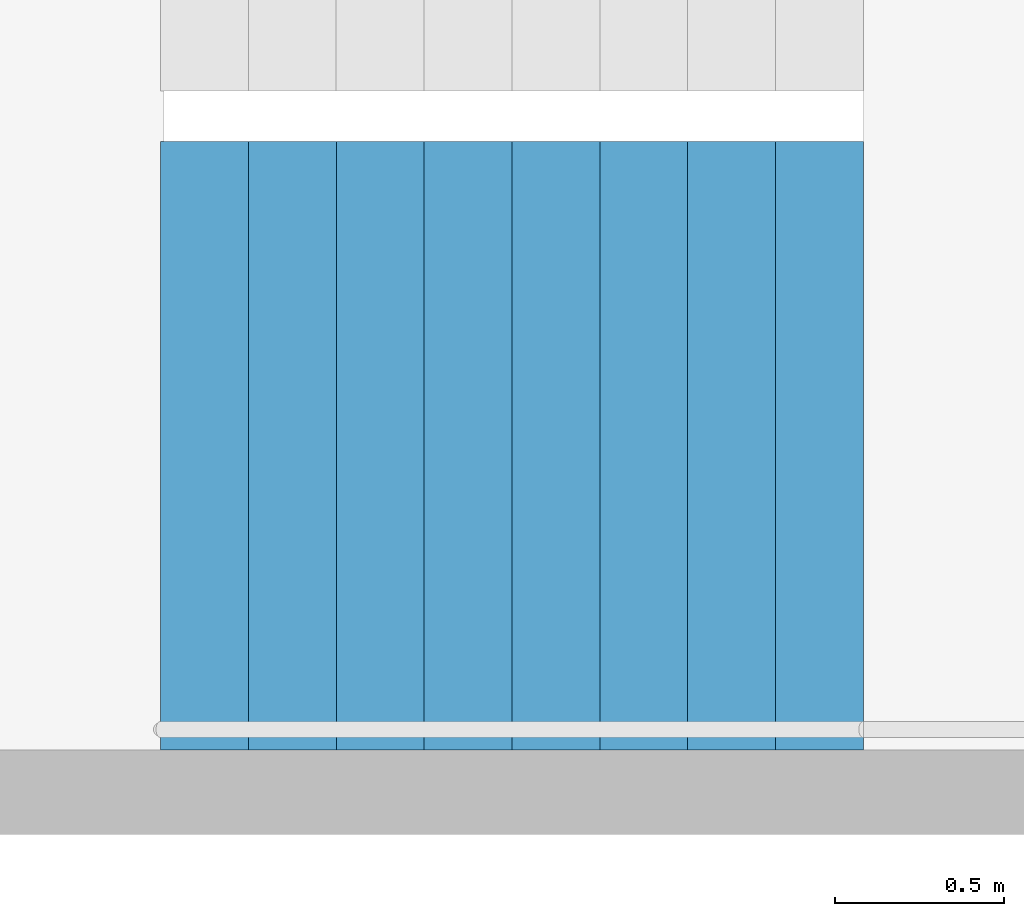
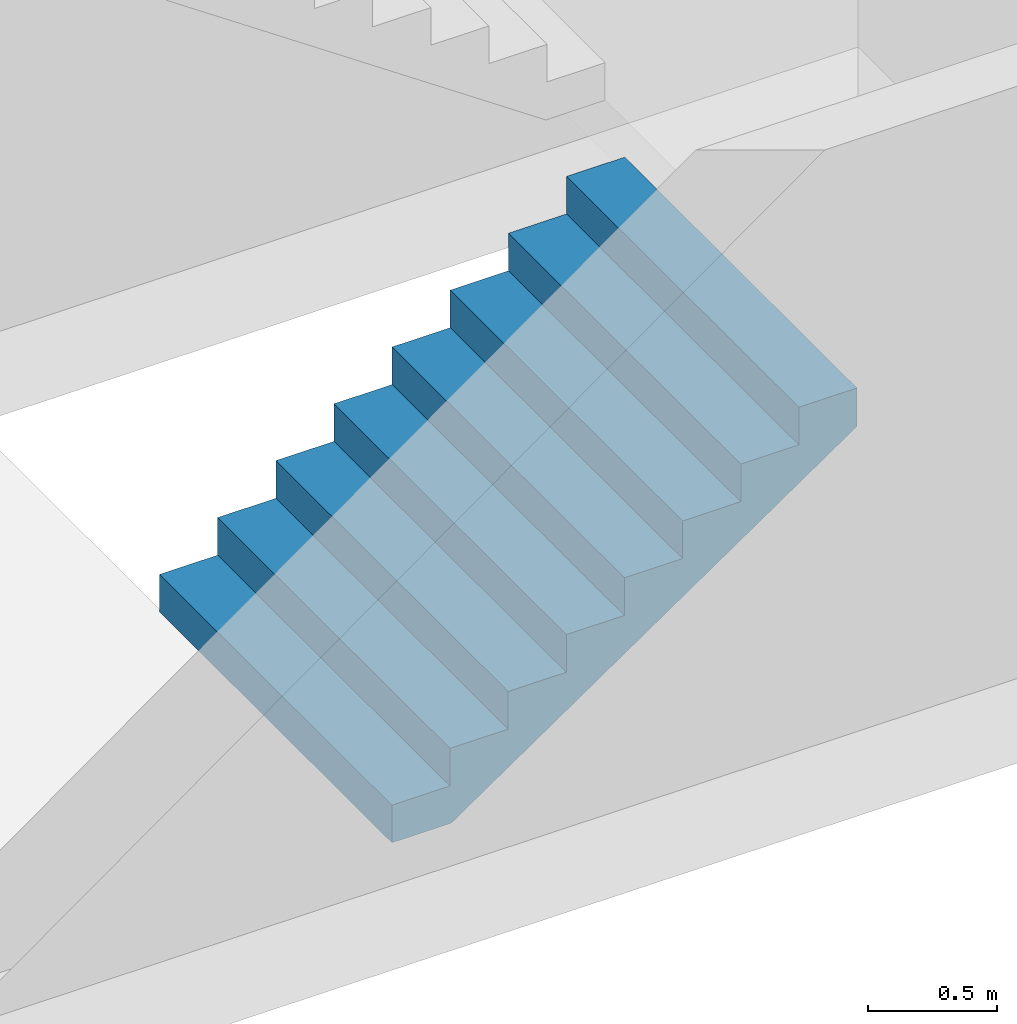
# One storey, part 23 of 29: 1 stair flight, 1 element without a shape of its own.
"""IFC4 building model written with IfcOpenShell, lengths in metres."""

import ifcopenshell
import ifcopenshell.guid

model = None  # the IFC model being written
_history = None  # IfcOwnerHistory: only IFC2X3 demands one
_inside = {}  # id of a spatial element -> (the spatial element, [elements in it])
_under = {}  # id of a project, library or spatial element -> (it, [spatial elements below it])
_declared = {}  # id of a project -> (the project, [libraries it declares])
_typed = {}  # id of a type object -> (the type object, [elements of that type])
_made_of = {}  # id of a material, layer set ... -> (it, [elements and type objects made of it])


def new_model(schema):
    """Start an empty IFC model of exactly this schema.

    Asked for "IFC4X3", IfcOpenShell would pick the latest addendum, in which some entities
    have other attributes; the version numbers below select the first issue.
    IFC2X3 requires an IfcOwnerHistory on every rooted entity: one is made here for all.
    """
    global model, _history
    if schema == "IFC4X3":
        model = ifcopenshell.file(schema_version=(4, 3, 0, 0))
    else:
        model = ifcopenshell.file(schema=schema)
    _inside.clear()
    _under.clear()
    _declared.clear()
    _typed.clear()
    _made_of.clear()
    _history = None
    if model.schema == "IFC2X3":
        org = make("IfcOrganization", Name="unknown")
        user = make(
            "IfcPersonAndOrganization",
            ThePerson=make("IfcPerson", FamilyName="unknown"),
            TheOrganization=org,
        )
        app = make(
            "IfcApplication",
            ApplicationDeveloper=org,
            Version="unknown",
            ApplicationFullName="unknown",
            ApplicationIdentifier="unknown",
        )
        _history = make(
            "IfcOwnerHistory",
            OwningUser=user,
            OwningApplication=app,
            ChangeAction="ADDED",
            CreationDate=0,
        )
    return model


def make(cls, **values):
    """One entity of the class cls with the attributes given. An attribute that is None is left unset."""
    return model.create_entity(
        cls, **{name: value for name, value in values.items() if value is not None}
    )


def rooted(cls, **values):
    """An entity with a GlobalId (a new one), such as an element, a storey or a relation."""
    return make(cls, GlobalId=ifcopenshell.guid.new(), OwnerHistory=_history, **values)


def si_unit(unit_type, name, prefix=None):
    """IfcSIUnit, for example si_unit("LENGTHUNIT", "METRE", prefix="MILLI")."""
    return make("IfcSIUnit", UnitType=unit_type, Prefix=prefix, Name=name)


def assignment(units):
    """IfcUnitAssignment: the units of a project."""
    return None if units is None else make("IfcUnitAssignment", Units=units)


def point(xyz):
    """IfcCartesianPoint."""
    return None if xyz is None else make("IfcCartesianPoint", Coordinates=xyz)


def direction(xyz):
    """IfcDirection."""
    return None if xyz is None else make("IfcDirection", DirectionRatios=xyz)


def frame(location, z_axis=None, x_axis=None):
    """IfcAxis2Placement3D, a coordinate frame: its origin and axes. An axis left out is left unset."""
    return make(
        "IfcAxis2Placement3D",
        Location=point(location),
        Axis=direction(z_axis),
        RefDirection=direction(x_axis),
    )


def origin():
    """The frame at (0, 0, 0) with its axes left unset."""
    return frame((0.0, 0.0, 0.0))


def place(relative_to, where):
    """IfcLocalPlacement: puts the frame where relative to a parent placement (None: the world)."""
    return make(
        "IfcLocalPlacement", PlacementRelTo=relative_to, RelativePlacement=where
    )


def context(
    kind, dimensions, precision=None, world=None, true_north=None, identifier=None
):
    """IfcGeometricRepresentationContext, for example the 3D "Model" context."""
    return make(
        "IfcGeometricRepresentationContext",
        ContextIdentifier=identifier,
        ContextType=kind,
        CoordinateSpaceDimension=dimensions,
        Precision=precision,
        WorldCoordinateSystem=world,
        TrueNorth=true_north,
    )


def subcontext(parent, identifier, kind, view, scale=None):
    """IfcGeometricRepresentationSubContext, for example "Body" below "Model"."""
    return make(
        "IfcGeometricRepresentationSubContext",
        ContextIdentifier=identifier,
        ContextType=kind,
        ParentContext=parent,
        TargetScale=scale,
        TargetView=view,
    )


def project(units=None, contexts=None):
    """IfcProject with its units and contexts."""
    return rooted(
        "IfcProject",
        Name="project",
        RepresentationContexts=contexts,
        UnitsInContext=assignment(units),
    )


def spatial(cls, under=None, at=None, **own):
    """A site, building, storey or space (cls), placed at a placement, below another one or the project."""
    s = rooted(cls, ObjectPlacement=at, **own)
    if under is not None:
        _under.setdefault(under.id(), (under, []))[1].append(s)
    return s


def point_list(points):
    """IfcCartesianPointList2D or 3D."""
    cls = (
        "IfcCartesianPointList2D" if len(points[0]) == 2 else "IfcCartesianPointList3D"
    )
    return make(cls, CoordList=points)


def triangles(points, corners, closed=None, point_numbers=None):
    """IfcTriangulatedFaceSet: each triangle names its three corners, points numbered from 1."""
    return make(
        "IfcTriangulatedFaceSet",
        Coordinates=point_list(points),
        Closed=closed,
        CoordIndex=corners,
        PnIndex=point_numbers,
    )


def shape(context_of_items, identifier, shape_type, items):
    """IfcShapeRepresentation: the items that make up one representation, for example the "Body"."""
    return make(
        "IfcShapeRepresentation",
        ContextOfItems=context_of_items,
        RepresentationIdentifier=identifier,
        RepresentationType=shape_type,
        Items=items,
    )


def material(Name=None, Category=None):
    """IfcMaterial."""
    return make("IfcMaterial", Name=Name, Category=Category)


def made_of(thing, what):
    """Note that an element or type object is made of a material, layer set ...; save() writes the relation."""
    if what is not None:
        _made_of.setdefault(what.id(), (what, []))[1].append(thing)
    return thing


def type_object(cls, material=None, **own):
    """A type object (cls), such as IfcWallType, which elements share."""
    return made_of(rooted(cls, **own), material)


def element(
    cls,
    number,
    at=None,
    inside=None,
    cuts=None,
    type_object=None,
    material=None,
    context=None,
    identifier="Body",
    shape_type=None,
    held_by="IfcProductDefinitionShape",
    body=None,
    shapes=None,
    **own,
):
    """One element of the class cls, such as IfcWall. Its Tag is "e" and its number.

    at: its placement. inside: the storey or other place that contains it. cuts: it is an
    opening in that element (IfcRelVoidsElement). A single representation is given by context,
    identifier, shape_type and body (its items); several are given by shapes. held_by: the class
    of the entity that holds the representations. save() writes the other relations.
    """
    e = rooted(cls, Tag="e%d" % number, ObjectPlacement=at, **own)
    if body is not None:
        shapes = [shape(context, identifier, shape_type, body)]
    if shapes is not None:
        e.Representation = make(held_by, Representations=shapes)
    if inside is not None:
        _inside.setdefault(inside.id(), (inside, []))[1].append(e)
    if cuts is not None:
        rooted(
            "IfcRelVoidsElement", RelatingBuildingElement=cuts, RelatedOpeningElement=e
        )
    if type_object is not None:
        _typed.setdefault(type_object.id(), (type_object, []))[1].append(e)
    return made_of(e, material)


def aggregate(whole, parts):
    """IfcRelAggregates: a whole, such as a stair, and the parts it consists of."""
    return rooted("IfcRelAggregates", RelatingObject=whole, RelatedObjects=parts)


def save(model, path):
    """Write the relations noted so far, then the file.

    IfcRelAggregates (storeys below a building ...), IfcRelContainedInSpatialStructure (elements
    in a storey), IfcRelDefinesByType, IfcRelAssociatesMaterial and IfcRelDeclares: one each for
    every whole, place, type object, material and project.
    """
    for whole, parts in _under.values():
        aggregate(whole, parts)
    for where, things in _inside.values():
        rooted(
            "IfcRelContainedInSpatialStructure",
            RelatedElements=things,
            RelatingStructure=where,
        )
    for kind, things in _typed.values():
        rooted("IfcRelDefinesByType", RelatedObjects=things, RelatingType=kind)
    for what, things in _made_of.values():
        rooted("IfcRelAssociatesMaterial", RelatedObjects=things, RelatingMaterial=what)
    for by, libraries in _declared.values():
        rooted("IfcRelDeclares", RelatingContext=by, RelatedDefinitions=libraries)
    model.write(path)


model = new_model("IFC4")

# Units and contexts
model_context = context("Model", 3, precision=1e-05, world=origin(), true_north=direction((0.0, 1.0)))
body_context = subcontext(model_context, "Body", "Model", "MODEL_VIEW")
ifc_project = project(units=[si_unit("LENGTHUNIT", "METRE"), si_unit("AREAUNIT", "SQUARE_METRE"), si_unit("VOLUMEUNIT", "CUBIC_METRE"), si_unit("PLANEANGLEUNIT", "RADIAN"), si_unit("MASSUNIT", "GRAM", prefix="KILO")], contexts=[model_context])

# Site, building, storey
site_placement = place(None, origin())
site = spatial("IfcSite", under=ifc_project, at=site_placement, CompositionType="ELEMENT")
building_placement = place(site_placement, origin())
building = spatial("IfcBuilding", under=site, at=building_placement, Name="Hakoniwa Tower and Hamabe Station Hall", CompositionType="ELEMENT")
storey_placement = place(building_placement, frame((0.0, 0.0, 113.800048828125)))
storey = spatial("IfcBuildingStorey", under=building, at=storey_placement, Name="L32", CompositionType="ELEMENT", Elevation=113.800048828125)

# Stair, stair flight
ifc_material_1 = material(Name="Concrete C40", Category="concrete")
stair_type = type_object("IfcStairType", Name="ESCAPE STAIR 1800", PredefinedType="HALF_TURN_STAIR", material=ifc_material_1)
stair_placement = place(storey_placement, origin())
stair = element("IfcStair", 1, at=stair_placement, inside=storey, type_object=stair_type, Name="Escape stair ST-1 L32", PredefinedType="HALF_TURN_STAIR")
ifc_material_2 = material(Name="Concrete C40", Category="concrete")
stair_flight_type = type_object("IfcStairFlightType", Name="STAIR FLIGHT 1800", PredefinedType="STRAIGHT", material=ifc_material_2)
stair_flight_placement = place(storey_placement, frame((-24.39990234375, 4.64990234375, 0.0), z_axis=(0.0, 0.0, 1.0), x_axis=(1.0, 0.0, 0.0)))
stair_flight = element("IfcStairFlight", 2, at=stair_flight_placement, type_object=stair_flight_type, Name="ST-1 flight 1", NumberOfRisers=9, NumberOfTreads=8, PredefinedType="STRAIGHT", RiserHeight=0.177777778, TreadLength=0.26, context=body_context, shape_type="Tessellation", body=[
    triangles([(0.0, 0.89990234375, 0.0), (0.260009765625, 0.89990234375, 0.0), (0.265625, 0.89990234375, 0.0), (0.52001953125, 0.89990234375, 0.174072265625), (0.780029296875, 0.89990234375, 0.351806640625), (1.0400390625, 0.89990234375, 0.529541015625), (1.300048828125, 0.89990234375, 0.707275390625), (1.56005859375, 0.89990234375, 0.885009765625), (1.820068359375, 0.89990234375, 1.062744140625), (2.080078125, 0.89990234375, 1.24072265625), (2.080078125, 0.89990234375, 1.422119140625), (1.820068359375, 0.89990234375, 1.422119140625), (1.820068359375, 0.89990234375, 1.244384765625), (1.56005859375, 0.89990234375, 1.244384765625), (1.56005859375, 0.89990234375, 1.066650390625), (1.300048828125, 0.89990234375, 1.066650390625), (1.300048828125, 0.89990234375, 0.888916015625), (1.0400390625, 0.89990234375, 0.888916015625), (1.0400390625, 0.89990234375, 0.711181640625), (0.780029296875, 0.89990234375, 0.711181640625), (0.780029296875, 0.89990234375, 0.533447265625), (0.52001953125, 0.89990234375, 0.533447265625), (0.52001953125, 0.89990234375, 0.35546875), (0.265625, 0.89990234375, 0.35546875), (0.260009765625, 0.89990234375, 0.35546875), (0.260009765625, 0.89990234375, 0.177734375), (0.0, 0.89990234375, 0.177734375), (0.0, 0.06005859375, 0.0), (0.260009765625, 0.06005859375, 0.0), (0.265625, 0.06005859375, 0.0), (0.52001953125, 0.06005859375, 0.174072265625), (0.780029296875, 0.06005859375, 0.351806640625), (1.0400390625, 0.06005859375, 0.529541015625), (1.300048828125, 0.06005859375, 0.707275390625), (1.56005859375, 0.06005859375, 0.885009765625), (1.820068359375, 0.06005859375, 1.062744140625), (2.080078125, 0.06005859375, 1.24072265625), (2.080078125, 0.06005859375, 1.422119140625), (1.820068359375, 0.06005859375, 1.422119140625), (1.820068359375, 0.06005859375, 1.244384765625), (1.56005859375, 0.06005859375, 1.244384765625), (1.56005859375, 0.06005859375, 1.066650390625), (1.300048828125, 0.06005859375, 1.066650390625), (1.300048828125, 0.06005859375, 0.888916015625), (1.0400390625, 0.06005859375, 0.888916015625), (1.0400390625, 0.06005859375, 0.711181640625), (0.780029296875, 0.06005859375, 0.711181640625), (0.780029296875, 0.06005859375, 0.533447265625), (0.52001953125, 0.06005859375, 0.533447265625), (0.52001953125, 0.06005859375, 0.35546875), (0.265625, 0.06005859375, 0.35546875), (0.260009765625, 0.06005859375, 0.35546875), (0.260009765625, 0.06005859375, 0.177734375), (0.0, 0.06005859375, 0.177734375), (0.0, 0.04296875, 0.0), (0.260009765625, 0.04296875, 0.0), (0.265625, 0.04296875, 0.0), (0.52001953125, 0.04296875, 0.174072265625), (0.780029296875, 0.04296875, 0.351806640625), (1.0400390625, 0.04296875, 0.529541015625), (1.300048828125, 0.04296875, 0.707275390625), (1.56005859375, 0.04296875, 0.885009765625), (1.820068359375, 0.04296875, 1.062744140625), (2.080078125, 0.04296875, 1.24072265625), (2.080078125, 0.04296875, 1.422119140625), (1.820068359375, 0.04296875, 1.422119140625), (1.820068359375, 0.04296875, 1.244384765625), (1.56005859375, 0.04296875, 1.244384765625), (1.56005859375, 0.04296875, 1.066650390625), (1.300048828125, 0.04296875, 1.066650390625), (1.300048828125, 0.04296875, 0.888916015625), (1.0400390625, 0.04296875, 0.888916015625), (1.0400390625, 0.04296875, 0.711181640625), (0.780029296875, 0.04296875, 0.711181640625), (0.780029296875, 0.04296875, 0.533447265625), (0.52001953125, 0.04296875, 0.533447265625), (0.52001953125, 0.04296875, 0.35546875), (0.265625, 0.04296875, 0.35546875), (0.260009765625, 0.04296875, 0.35546875), (0.260009765625, 0.04296875, 0.177734375), (0.0, 0.04296875, 0.177734375), (0.0, 0.025634765625, 0.0), (0.260009765625, 0.025634765625, 0.0), (0.265625, 0.025634765625, 0.0), (0.52001953125, 0.025634765625, 0.174072265625), (0.780029296875, 0.025634765625, 0.351806640625), (1.0400390625, 0.025634765625, 0.529541015625), (1.300048828125, 0.025634765625, 0.707275390625), (1.56005859375, 0.025634765625, 0.885009765625), (1.820068359375, 0.025634765625, 1.062744140625), (2.080078125, 0.025634765625, 1.24072265625), (2.080078125, 0.025634765625, 1.422119140625), (1.820068359375, 0.025634765625, 1.422119140625), (1.820068359375, 0.025634765625, 1.244384765625), (1.56005859375, 0.025634765625, 1.244384765625), (1.56005859375, 0.025634765625, 1.066650390625), (1.300048828125, 0.025634765625, 1.066650390625), (1.300048828125, 0.025634765625, 0.888916015625), (1.0400390625, 0.025634765625, 0.888916015625), (1.0400390625, 0.025634765625, 0.711181640625), (0.780029296875, 0.025634765625, 0.711181640625), (0.780029296875, 0.025634765625, 0.533447265625), (0.52001953125, 0.025634765625, 0.533447265625), (0.52001953125, 0.025634765625, 0.35546875), (0.265625, 0.025634765625, 0.35546875), (0.260009765625, 0.025634765625, 0.35546875), (0.260009765625, 0.025634765625, 0.177734375), (0.0, 0.025634765625, 0.177734375), (0.0, 0.008544921875, 0.0), (0.260009765625, 0.008544921875, 0.0), (0.265625, 0.008544921875, 0.0), (0.52001953125, 0.008544921875, 0.174072265625), (0.780029296875, 0.008544921875, 0.351806640625), (1.0400390625, 0.008544921875, 0.529541015625), (1.300048828125, 0.008544921875, 0.707275390625), (1.56005859375, 0.008544921875, 0.885009765625), (1.820068359375, 0.008544921875, 1.062744140625), (2.080078125, 0.008544921875, 1.24072265625), (2.080078125, 0.008544921875, 1.422119140625), (1.820068359375, 0.008544921875, 1.422119140625), (1.820068359375, 0.008544921875, 1.244384765625), (1.56005859375, 0.008544921875, 1.244384765625), (1.56005859375, 0.008544921875, 1.066650390625), (1.300048828125, 0.008544921875, 1.066650390625), (1.300048828125, 0.008544921875, 0.888916015625), (1.0400390625, 0.008544921875, 0.888916015625), (1.0400390625, 0.008544921875, 0.711181640625), (0.780029296875, 0.008544921875, 0.711181640625), (0.780029296875, 0.008544921875, 0.533447265625), (0.52001953125, 0.008544921875, 0.533447265625), (0.52001953125, 0.008544921875, 0.35546875), (0.265625, 0.008544921875, 0.35546875), (0.260009765625, 0.008544921875, 0.35546875), (0.260009765625, 0.008544921875, 0.177734375), (0.0, 0.008544921875, 0.177734375), (0.0, -0.008544921875, 0.0), (0.260009765625, -0.008544921875, 0.0), (0.265625, -0.008544921875, 0.0), (0.52001953125, -0.008544921875, 0.174072265625), (0.780029296875, -0.008544921875, 0.351806640625), (1.0400390625, -0.008544921875, 0.529541015625), (1.300048828125, -0.008544921875, 0.707275390625), (1.56005859375, -0.008544921875, 0.885009765625), (1.820068359375, -0.008544921875, 1.062744140625), (2.080078125, -0.008544921875, 1.24072265625), (2.080078125, -0.008544921875, 1.422119140625), (1.820068359375, -0.008544921875, 1.422119140625), (1.820068359375, -0.008544921875, 1.244384765625), (1.56005859375, -0.008544921875, 1.244384765625), (1.56005859375, -0.008544921875, 1.066650390625), (1.300048828125, -0.008544921875, 1.066650390625), (1.300048828125, -0.008544921875, 0.888916015625), (1.0400390625, -0.008544921875, 0.888916015625), (1.0400390625, -0.008544921875, 0.711181640625), (0.780029296875, -0.008544921875, 0.711181640625), (0.780029296875, -0.008544921875, 0.533447265625), (0.52001953125, -0.008544921875, 0.533447265625), (0.52001953125, -0.008544921875, 0.35546875), (0.265625, -0.008544921875, 0.35546875), (0.260009765625, -0.008544921875, 0.35546875), (0.260009765625, -0.008544921875, 0.177734375), (0.0, -0.008544921875, 0.177734375), (0.0, -0.025634765625, 0.0), (0.260009765625, -0.025634765625, 0.0), (0.265625, -0.025634765625, 0.0), (0.52001953125, -0.025634765625, 0.174072265625), (0.780029296875, -0.025634765625, 0.351806640625), (1.0400390625, -0.025634765625, 0.529541015625), (1.300048828125, -0.025634765625, 0.707275390625), (1.56005859375, -0.025634765625, 0.885009765625), (1.820068359375, -0.025634765625, 1.062744140625), (2.080078125, -0.025634765625, 1.24072265625), (2.080078125, -0.025634765625, 1.422119140625), (1.820068359375, -0.025634765625, 1.422119140625), (1.820068359375, -0.025634765625, 1.244384765625), (1.56005859375, -0.025634765625, 1.244384765625), (1.56005859375, -0.025634765625, 1.066650390625), (1.300048828125, -0.025634765625, 1.066650390625), (1.300048828125, -0.025634765625, 0.888916015625), (1.0400390625, -0.025634765625, 0.888916015625), (1.0400390625, -0.025634765625, 0.711181640625), (0.780029296875, -0.025634765625, 0.711181640625), (0.780029296875, -0.025634765625, 0.533447265625), (0.52001953125, -0.025634765625, 0.533447265625), (0.52001953125, -0.025634765625, 0.35546875), (0.265625, -0.025634765625, 0.35546875), (0.260009765625, -0.025634765625, 0.35546875), (0.260009765625, -0.025634765625, 0.177734375), (0.0, -0.025634765625, 0.177734375), (0.0, -0.04296875, 0.0), (0.260009765625, -0.04296875, 0.0), (0.265625, -0.04296875, 0.0), (0.52001953125, -0.04296875, 0.174072265625), (0.780029296875, -0.04296875, 0.351806640625), (1.0400390625, -0.04296875, 0.529541015625), (1.300048828125, -0.04296875, 0.707275390625), (1.56005859375, -0.04296875, 0.885009765625), (1.820068359375, -0.04296875, 1.062744140625), (2.080078125, -0.04296875, 1.24072265625), (2.080078125, -0.04296875, 1.422119140625), (1.820068359375, -0.04296875, 1.422119140625), (1.820068359375, -0.04296875, 1.244384765625), (1.56005859375, -0.04296875, 1.244384765625), (1.56005859375, -0.04296875, 1.066650390625), (1.300048828125, -0.04296875, 1.066650390625), (1.300048828125, -0.04296875, 0.888916015625), (1.0400390625, -0.04296875, 0.888916015625), (1.0400390625, -0.04296875, 0.711181640625), (0.780029296875, -0.04296875, 0.711181640625), (0.780029296875, -0.04296875, 0.533447265625), (0.52001953125, -0.04296875, 0.533447265625), (0.52001953125, -0.04296875, 0.35546875), (0.265625, -0.04296875, 0.35546875), (0.260009765625, -0.04296875, 0.35546875), (0.260009765625, -0.04296875, 0.177734375), (0.0, -0.04296875, 0.177734375), (0.0, -0.06005859375, 0.0), (0.260009765625, -0.06005859375, 0.0), (0.265625, -0.06005859375, 0.0), (0.52001953125, -0.06005859375, 0.174072265625), (0.780029296875, -0.06005859375, 0.351806640625), (1.0400390625, -0.06005859375, 0.529541015625), (1.300048828125, -0.06005859375, 0.707275390625), (1.56005859375, -0.06005859375, 0.885009765625), (1.820068359375, -0.06005859375, 1.062744140625), (2.080078125, -0.06005859375, 1.24072265625), (2.080078125, -0.06005859375, 1.422119140625), (1.820068359375, -0.06005859375, 1.422119140625), (1.820068359375, -0.06005859375, 1.244384765625), (1.56005859375, -0.06005859375, 1.244384765625), (1.56005859375, -0.06005859375, 1.066650390625), (1.300048828125, -0.06005859375, 1.066650390625), (1.300048828125, -0.06005859375, 0.888916015625), (1.0400390625, -0.06005859375, 0.888916015625), (1.0400390625, -0.06005859375, 0.711181640625), (0.780029296875, -0.06005859375, 0.711181640625), (0.780029296875, -0.06005859375, 0.533447265625), (0.52001953125, -0.06005859375, 0.533447265625), (0.52001953125, -0.06005859375, 0.35546875), (0.265625, -0.06005859375, 0.35546875), (0.260009765625, -0.06005859375, 0.35546875), (0.260009765625, -0.06005859375, 0.177734375), (0.0, -0.06005859375, 0.177734375), (0.0, -0.89990234375, 0.0), (0.260009765625, -0.89990234375, 0.0), (0.265625, -0.89990234375, 0.0), (0.52001953125, -0.89990234375, 0.174072265625), (0.780029296875, -0.89990234375, 0.351806640625), (1.0400390625, -0.89990234375, 0.529541015625), (1.300048828125, -0.89990234375, 0.707275390625), (1.56005859375, -0.89990234375, 0.885009765625), (1.820068359375, -0.89990234375, 1.062744140625), (2.080078125, -0.89990234375, 1.24072265625), (2.080078125, -0.89990234375, 1.422119140625), (1.820068359375, -0.89990234375, 1.422119140625), (1.820068359375, -0.89990234375, 1.244384765625), (1.56005859375, -0.89990234375, 1.244384765625), (1.56005859375, -0.89990234375, 1.066650390625), (1.300048828125, -0.89990234375, 1.066650390625), (1.300048828125, -0.89990234375, 0.888916015625), (1.0400390625, -0.89990234375, 0.888916015625), (1.0400390625, -0.89990234375, 0.711181640625), (0.780029296875, -0.89990234375, 0.711181640625), (0.780029296875, -0.89990234375, 0.533447265625), (0.52001953125, -0.89990234375, 0.533447265625), (0.52001953125, -0.89990234375, 0.35546875), (0.265625, -0.89990234375, 0.35546875), (0.260009765625, -0.89990234375, 0.35546875), (0.260009765625, -0.89990234375, 0.177734375), (0.0, -0.89990234375, 0.177734375)], [[2, 27, 26], [245, 269, 270], [2, 1, 27], [245, 270, 244], [3, 25, 24], [246, 267, 268], [3, 26, 25], [246, 268, 269], [3, 2, 26], [246, 269, 245], [4, 24, 23], [247, 266, 267], [4, 3, 24], [247, 267, 246], [5, 22, 21], [248, 264, 265], [5, 23, 22], [248, 265, 266], [5, 4, 23], [248, 266, 247], [6, 20, 19], [249, 262, 263], [6, 21, 20], [249, 263, 264], [6, 5, 21], [249, 264, 248], [7, 18, 17], [250, 260, 261], [7, 19, 18], [250, 261, 262], [7, 6, 19], [250, 262, 249], [8, 16, 15], [251, 258, 259], [8, 17, 16], [251, 259, 260], [8, 7, 17], [251, 260, 250], [9, 14, 13], [252, 256, 257], [9, 15, 14], [252, 257, 258], [9, 8, 15], [252, 258, 251], [10, 12, 11], [253, 254, 255], [10, 13, 12], [253, 255, 256], [10, 9, 13], [253, 256, 252], [1, 2, 29], [1, 29, 28], [28, 29, 56], [28, 56, 55], [55, 56, 83], [55, 83, 82], [82, 83, 110], [82, 110, 109], [109, 110, 137], [109, 137, 136], [136, 137, 164], [136, 164, 163], [163, 164, 191], [163, 191, 190], [190, 191, 218], [190, 218, 217], [217, 218, 245], [217, 245, 244], [2, 3, 30], [2, 30, 29], [29, 30, 57], [29, 57, 56], [56, 57, 84], [56, 84, 83], [83, 84, 111], [83, 111, 110], [110, 111, 138], [110, 138, 137], [137, 138, 165], [137, 165, 164], [164, 165, 192], [164, 192, 191], [191, 192, 219], [191, 219, 218], [218, 219, 246], [218, 246, 245], [3, 4, 31], [3, 31, 30], [30, 31, 58], [30, 58, 57], [57, 58, 85], [57, 85, 84], [84, 85, 112], [84, 112, 111], [111, 112, 139], [111, 139, 138], [138, 139, 166], [138, 166, 165], [165, 166, 193], [165, 193, 192], [192, 193, 220], [192, 220, 219], [219, 220, 247], [219, 247, 246], [4, 5, 32], [4, 32, 31], [31, 32, 59], [31, 59, 58], [58, 59, 86], [58, 86, 85], [85, 86, 113], [85, 113, 112], [112, 113, 140], [112, 140, 139], [139, 140, 167], [139, 167, 166], [166, 167, 194], [166, 194, 193], [193, 194, 221], [193, 221, 220], [220, 221, 248], [220, 248, 247], [5, 6, 33], [5, 33, 32], [32, 33, 60], [32, 60, 59], [59, 60, 87], [59, 87, 86], [86, 87, 114], [86, 114, 113], [113, 114, 141], [113, 141, 140], [140, 141, 168], [140, 168, 167], [167, 168, 195], [167, 195, 194], [194, 195, 222], [194, 222, 221], [221, 222, 249], [221, 249, 248], [6, 7, 34], [6, 34, 33], [33, 34, 61], [33, 61, 60], [60, 61, 88], [60, 88, 87], [87, 88, 115], [87, 115, 114], [114, 115, 142], [114, 142, 141], [141, 142, 169], [141, 169, 168], [168, 169, 196], [168, 196, 195], [195, 196, 223], [195, 223, 222], [222, 223, 250], [222, 250, 249], [7, 8, 35], [7, 35, 34], [34, 35, 62], [34, 62, 61], [61, 62, 89], [61, 89, 88], [88, 89, 116], [88, 116, 115], [115, 116, 143], [115, 143, 142], [142, 143, 170], [142, 170, 169], [169, 170, 197], [169, 197, 196], [196, 197, 224], [196, 224, 223], [223, 224, 251], [223, 251, 250], [8, 9, 36], [8, 36, 35], [35, 36, 63], [35, 63, 62], [62, 63, 90], [62, 90, 89], [89, 90, 117], [89, 117, 116], [116, 117, 144], [116, 144, 143], [143, 144, 171], [143, 171, 170], [170, 171, 198], [170, 198, 197], [197, 198, 225], [197, 225, 224], [224, 225, 252], [224, 252, 251], [9, 10, 37], [9, 37, 36], [36, 37, 64], [36, 64, 63], [63, 64, 91], [63, 91, 90], [90, 91, 118], [90, 118, 117], [117, 118, 145], [117, 145, 144], [144, 145, 172], [144, 172, 171], [171, 172, 199], [171, 199, 198], [198, 199, 226], [198, 226, 225], [225, 226, 253], [225, 253, 252], [10, 11, 38], [10, 38, 37], [37, 38, 65], [37, 65, 64], [64, 65, 92], [64, 92, 91], [91, 92, 119], [91, 119, 118], [118, 119, 146], [118, 146, 145], [145, 146, 173], [145, 173, 172], [172, 173, 200], [172, 200, 199], [199, 200, 227], [199, 227, 226], [226, 227, 254], [226, 254, 253], [11, 12, 39], [11, 39, 38], [38, 39, 66], [38, 66, 65], [65, 66, 93], [65, 93, 92], [92, 93, 120], [92, 120, 119], [119, 120, 147], [119, 147, 146], [146, 147, 174], [146, 174, 173], [173, 174, 201], [173, 201, 200], [200, 201, 228], [200, 228, 227], [227, 228, 255], [227, 255, 254], [12, 13, 40], [12, 40, 39], [39, 40, 67], [39, 67, 66], [66, 67, 94], [66, 94, 93], [93, 94, 121], [93, 121, 120], [120, 121, 148], [120, 148, 147], [147, 148, 175], [147, 175, 174], [174, 175, 202], [174, 202, 201], [201, 202, 229], [201, 229, 228], [228, 229, 256], [228, 256, 255], [13, 14, 41], [13, 41, 40], [40, 41, 68], [40, 68, 67], [67, 68, 95], [67, 95, 94], [94, 95, 122], [94, 122, 121], [121, 122, 149], [121, 149, 148], [148, 149, 176], [148, 176, 175], [175, 176, 203], [175, 203, 202], [202, 203, 230], [202, 230, 229], [229, 230, 257], [229, 257, 256], [14, 15, 42], [14, 42, 41], [41, 42, 69], [41, 69, 68], [68, 69, 96], [68, 96, 95], [95, 96, 123], [95, 123, 122], [122, 123, 150], [122, 150, 149], [149, 150, 177], [149, 177, 176], [176, 177, 204], [176, 204, 203], [203, 204, 231], [203, 231, 230], [230, 231, 258], [230, 258, 257], [15, 16, 43], [15, 43, 42], [42, 43, 70], [42, 70, 69], [69, 70, 97], [69, 97, 96], [96, 97, 124], [96, 124, 123], [123, 124, 151], [123, 151, 150], [150, 151, 178], [150, 178, 177], [177, 178, 205], [177, 205, 204], [204, 205, 232], [204, 232, 231], [231, 232, 259], [231, 259, 258], [16, 17, 44], [16, 44, 43], [43, 44, 71], [43, 71, 70], [70, 71, 98], [70, 98, 97], [97, 98, 125], [97, 125, 124], [124, 125, 152], [124, 152, 151], [151, 152, 179], [151, 179, 178], [178, 179, 206], [178, 206, 205], [205, 206, 233], [205, 233, 232], [232, 233, 260], [232, 260, 259], [17, 18, 45], [17, 45, 44], [44, 45, 72], [44, 72, 71], [71, 72, 99], [71, 99, 98], [98, 99, 126], [98, 126, 125], [125, 126, 153], [125, 153, 152], [152, 153, 180], [152, 180, 179], [179, 180, 207], [179, 207, 206], [206, 207, 234], [206, 234, 233], [233, 234, 261], [233, 261, 260], [18, 19, 46], [18, 46, 45], [45, 46, 73], [45, 73, 72], [72, 73, 100], [72, 100, 99], [99, 100, 127], [99, 127, 126], [126, 127, 154], [126, 154, 153], [153, 154, 181], [153, 181, 180], [180, 181, 208], [180, 208, 207], [207, 208, 235], [207, 235, 234], [234, 235, 262], [234, 262, 261], [19, 20, 47], [19, 47, 46], [46, 47, 74], [46, 74, 73], [73, 74, 101], [73, 101, 100], [100, 101, 128], [100, 128, 127], [127, 128, 155], [127, 155, 154], [154, 155, 182], [154, 182, 181], [181, 182, 209], [181, 209, 208], [208, 209, 236], [208, 236, 235], [235, 236, 263], [235, 263, 262], [20, 21, 48], [20, 48, 47], [47, 48, 75], [47, 75, 74], [74, 75, 102], [74, 102, 101], [101, 102, 129], [101, 129, 128], [128, 129, 156], [128, 156, 155], [155, 156, 183], [155, 183, 182], [182, 183, 210], [182, 210, 209], [209, 210, 237], [209, 237, 236], [236, 237, 264], [236, 264, 263], [21, 22, 49], [21, 49, 48], [48, 49, 76], [48, 76, 75], [75, 76, 103], [75, 103, 102], [102, 103, 130], [102, 130, 129], [129, 130, 157], [129, 157, 156], [156, 157, 184], [156, 184, 183], [183, 184, 211], [183, 211, 210], [210, 211, 238], [210, 238, 237], [237, 238, 265], [237, 265, 264], [22, 23, 50], [22, 50, 49], [49, 50, 77], [49, 77, 76], [76, 77, 104], [76, 104, 103], [103, 104, 131], [103, 131, 130], [130, 131, 158], [130, 158, 157], [157, 158, 185], [157, 185, 184], [184, 185, 212], [184, 212, 211], [211, 212, 239], [211, 239, 238], [238, 239, 266], [238, 266, 265], [23, 24, 51], [23, 51, 50], [50, 51, 78], [50, 78, 77], [77, 78, 105], [77, 105, 104], [104, 105, 132], [104, 132, 131], [131, 132, 159], [131, 159, 158], [158, 159, 186], [158, 186, 185], [185, 186, 213], [185, 213, 212], [212, 213, 240], [212, 240, 239], [239, 240, 267], [239, 267, 266], [24, 25, 52], [24, 52, 51], [51, 52, 79], [51, 79, 78], [78, 79, 106], [78, 106, 105], [105, 106, 133], [105, 133, 132], [132, 133, 160], [132, 160, 159], [159, 160, 187], [159, 187, 186], [186, 187, 214], [186, 214, 213], [213, 214, 241], [213, 241, 240], [240, 241, 268], [240, 268, 267], [25, 26, 53], [25, 53, 52], [52, 53, 80], [52, 80, 79], [79, 80, 107], [79, 107, 106], [106, 107, 134], [106, 134, 133], [133, 134, 161], [133, 161, 160], [160, 161, 188], [160, 188, 187], [187, 188, 215], [187, 215, 214], [214, 215, 242], [214, 242, 241], [241, 242, 269], [241, 269, 268], [26, 27, 54], [26, 54, 53], [53, 54, 81], [53, 81, 80], [80, 81, 108], [80, 108, 107], [107, 108, 135], [107, 135, 134], [134, 135, 162], [134, 162, 161], [161, 162, 189], [161, 189, 188], [188, 189, 216], [188, 216, 215], [215, 216, 243], [215, 243, 242], [242, 243, 270], [242, 270, 269], [27, 1, 28], [27, 28, 54], [54, 28, 55], [54, 55, 81], [81, 55, 82], [81, 82, 108], [108, 82, 109], [108, 109, 135], [135, 109, 136], [135, 136, 162], [162, 136, 163], [162, 163, 189], [189, 163, 190], [189, 190, 216], [216, 190, 217], [216, 217, 243], [243, 217, 244], [243, 244, 270]], closed=True),
])
aggregate(stair, [stair_flight])

save(model, "model.ifc")
